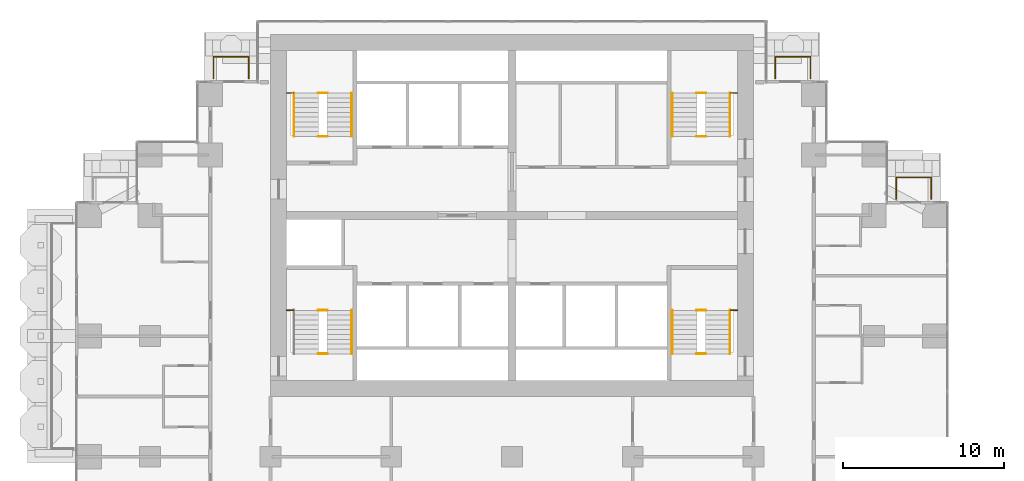
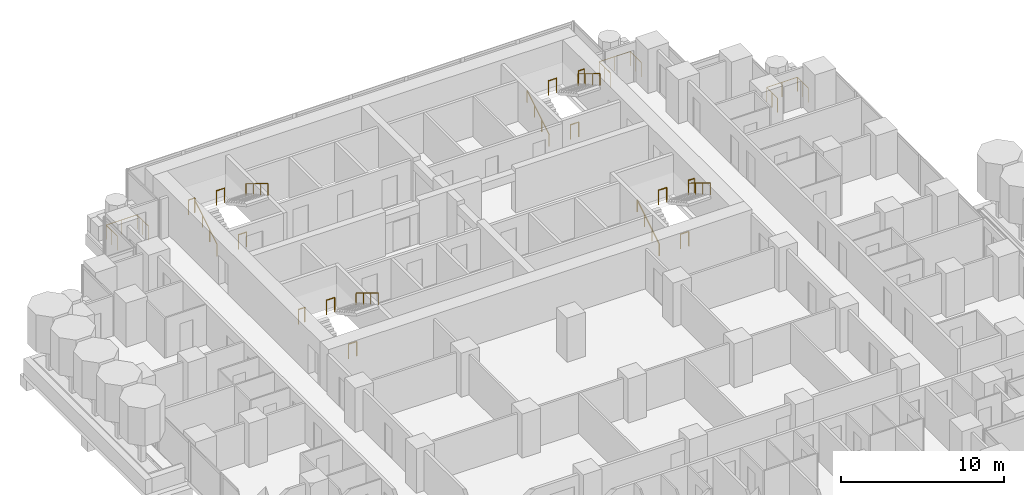
# One storey, part 18 of 19: 22 railings.
"""IFC4 building model written with IfcOpenShell, lengths in metres."""

from ifc_helpers import new_model, si_unit, direction, frame, origin, origin_2d, place, context, subcontext, project, spatial, circle, extrude, material, type_object, element, save


model = new_model("IFC4")

# Units and contexts
model_context = context("Model", 3, precision=1e-05, world=origin(), true_north=direction((0.0, 1.0)))
body_context = subcontext(model_context, "Body", "Model", "MODEL_VIEW")
ifc_project = project(units=[si_unit("LENGTHUNIT", "METRE"), si_unit("AREAUNIT", "SQUARE_METRE"), si_unit("VOLUMEUNIT", "CUBIC_METRE"), si_unit("PLANEANGLEUNIT", "RADIAN"), si_unit("MASSUNIT", "GRAM", prefix="KILO")], contexts=[model_context])

# Site, building, storey
site_placement = place(None, origin())
site = spatial("IfcSite", under=ifc_project, at=site_placement, CompositionType="ELEMENT")
building_placement = place(site_placement, origin())
building = spatial("IfcBuilding", under=site, at=building_placement, Name="Pilkhan Gate Tower", CompositionType="ELEMENT")
storey_placement = place(building_placement, frame((0.0, 0.0, 69.199951171875)))
storey = spatial("IfcBuildingStorey", under=building, at=storey_placement, Name="L15", CompositionType="ELEMENT", Elevation=69.199951171875)

# Railings
ifc_material_1 = material(Name="Pale anodised aluminium posts, laminated glass infill", Category="aluminium")
railing_type_1 = type_object("IfcRailingType", Name="Balcony guard G1", PredefinedType="BALUSTRADE", material=ifc_material_1)
for number, where, name in (
    (1, (56.449951171875, 91.0, 0.0), "Balcony guard L15 N"),
    (2, (91.35009765625, 91.0, 0.0), "Balcony guard L15 N"),
):
    element("IfcRailing", number, at=place(storey_placement, frame(where)), inside=storey, type_object=railing_type_1, Name=name, PredefinedType="BALUSTRADE", context=body_context, shape_type="SweptSolid", body=[
        extrude(circle(Radius=0.02392578125, at=origin_2d()), frame((0.0, 0.0, 1.076171875), z_axis=(0.0, 1.0, 0.0), x_axis=(-1.0, 0.0, 0.0)), (0.0, 0.0, 1.0), 1.35009765625),
        extrude(circle(Radius=0.02392578125, at=origin_2d()), frame((0.0, 1.35009765625, 1.076171875), z_axis=(1.0, 0.0, 0.0), x_axis=(0.0, 1.0, 0.0)), (0.0, 0.0, 1.0), 2.199951171875),
        extrude(circle(Radius=0.02392578125, at=origin_2d()), frame((2.199951171875, 1.35009765625, 1.076171875), z_axis=(0.0, -1.0, 0.0), x_axis=(1.0, 0.0, 0.0)), (0.0, 0.0, 1.0), 1.35009765625),
        extrude(circle(Radius=0.02099609375, at=origin_2d()), origin(), (0.0, 0.0, 1.0), 1.052001953125),
        extrude(circle(Radius=0.02099609375, at=origin_2d()), frame((0.0, 0.675048828125, 0.0)), (0.0, 0.0, 1.0), 1.052001953125),
        extrude(circle(Radius=0.02099609375, at=origin_2d()), frame((0.0, 1.35009765625, 0.0)), (0.0, 0.0, 1.0), 1.052001953125),
        extrude(circle(Radius=0.02099609375, at=origin_2d()), frame((1.10009765625, 1.35009765625, 0.0)), (0.0, 0.0, 1.0), 1.052001953125),
        extrude(circle(Radius=0.02099609375, at=origin_2d()), frame((2.199951171875, 1.35009765625, 0.0)), (0.0, 0.0, 1.0), 1.052001953125),
        extrude(circle(Radius=0.02099609375, at=origin_2d()), frame((2.199951171875, 0.675048828125, 0.0)), (0.0, 0.0, 1.0), 1.052001953125),
        extrude(circle(Radius=0.02099609375, at=origin_2d()), frame((2.199951171875, 0.0, 0.0)), (0.0, 0.0, 1.0), 1.052001953125),
    ])
railing_1_placement = place(storey_placement, frame((98.8701171875, 83.52001953125, 0.0)))
element("IfcRailing", 3, at=railing_1_placement, inside=storey, type_object=railing_type_1, Name="Balcony guard L15 N", PredefinedType="BALUSTRADE", context=body_context, shape_type="SweptSolid", body=[
    extrude(circle(Radius=0.02392578125, at=origin_2d()), frame((0.0, 0.0, 1.076171875), z_axis=(0.0, 1.0, 0.0), x_axis=(-1.0, 0.0, 0.0)), (0.0, 0.0, 1.0), 1.330078125),
    extrude(circle(Radius=0.02392578125, at=origin_2d()), frame((0.0, 1.330078125, 1.076171875), z_axis=(1.0, 0.0, 0.0), x_axis=(0.0, 1.0, 0.0)), (0.0, 0.0, 1.0), 2.179931640625),
    extrude(circle(Radius=0.02392578125, at=origin_2d()), frame((2.179931640625, 1.330078125, 1.076171875), z_axis=(0.0, -1.0, 0.0), x_axis=(1.0, 0.0, 0.0)), (0.0, 0.0, 1.0), 1.330078125),
    extrude(circle(Radius=0.02099609375, at=origin_2d()), origin(), (0.0, 0.0, 1.0), 1.052001953125),
    extrude(circle(Radius=0.02099609375, at=origin_2d()), frame((0.0, 0.6650390625, 0.0)), (0.0, 0.0, 1.0), 1.052001953125),
    extrude(circle(Radius=0.02099609375, at=origin_2d()), frame((0.0, 1.330078125, 0.0)), (0.0, 0.0, 1.0), 1.052001953125),
    extrude(circle(Radius=0.02099609375, at=origin_2d()), frame((1.08984375, 1.330078125, 0.0)), (0.0, 0.0, 1.0), 1.052001953125),
    extrude(circle(Radius=0.02099609375, at=origin_2d()), frame((2.179931640625, 1.330078125, 0.0)), (0.0, 0.0, 1.0), 1.052001953125),
    extrude(circle(Radius=0.02099609375, at=origin_2d()), frame((2.179931640625, 0.6650390625, 0.0)), (0.0, 0.0, 1.0), 1.052001953125),
    extrude(circle(Radius=0.02099609375, at=origin_2d()), frame((2.179931640625, 0.0, 0.0)), (0.0, 0.0, 1.0), 1.052001953125),
])
ifc_material_2 = material(Name="Black powder-coated steel tube", Category="steel")
railing_type_2 = type_object("IfcRailingType", Name="Stair handrail HR1", PredefinedType="HANDRAIL", material=ifc_material_2)
railing_2_placement = place(storey_placement, frame((84.949951171875, 73.89990234375, 0.0)))
element("IfcRailing", 4, at=railing_2_placement, inside=storey, type_object=railing_type_2, Name="Stair ST1 handrail L15", PredefinedType="HANDRAIL", context=body_context, shape_type="SweptSolid", body=[
    extrude(circle(Radius=0.02392578125, at=origin_2d()), frame((0.0, 0.0, 0.8759765625), z_axis=(0.0, 0.853278019476, 0.521456250781), x_axis=(-1.0, 0.0, 0.0)), (0.0, 0.0, 1.0), 3.16455078125),
    extrude(circle(Radius=0.02099609375, at=origin_2d()), origin(), (0.0, 0.0, 1.0), 0.851806640625),
    extrude(circle(Radius=0.02099609375, at=origin_2d()), frame((0.0, 0.900146484375, 0.550048828125)), (0.0, 0.0, 1.0), 0.851806640625),
    extrude(circle(Radius=0.02099609375, at=origin_2d()), frame((0.0, 1.800048828125, 1.10009765625)), (0.0, 0.0, 1.0), 0.851806640625),
    extrude(circle(Radius=0.02099609375, at=origin_2d()), frame((0.0, 2.7001953125, 1.650146484375)), (0.0, 0.0, 1.0), 0.851806640625),
])
for number, where, name in (
    (5, (88.550048828125, 76.60009765625, 1.650146484375), "Stair ST1 handrail L15"),
    (6, (65.050048828125, 76.60009765625, 1.650146484375), "Stair ST2 handrail L15"),
):
    element("IfcRailing", number, at=place(storey_placement, frame(where)), inside=storey, type_object=railing_type_2, Name=name, PredefinedType="HANDRAIL", context=body_context, shape_type="SweptSolid", body=[
        extrude(circle(Radius=0.02392578125, at=origin_2d()), frame((0.0, 0.0, 0.8759765625), z_axis=(0.0, -0.853312346642, 0.521400075823), x_axis=(1.0, 0.0, 0.0)), (0.0, 0.0, 1.0), 3.164306640625),
        extrude(circle(Radius=0.02099609375, at=origin_2d()), origin(), (0.0, 0.0, 1.0), 0.851806640625),
        extrude(circle(Radius=0.02099609375, at=origin_2d()), frame((0.0, -0.900146484375, 0.550048828125)), (0.0, 0.0, 1.0), 0.851806640625),
        extrude(circle(Radius=0.02099609375, at=origin_2d()), frame((0.0, -1.800048828125, 1.099853515625)), (0.0, 0.0, 1.0), 0.851806640625),
        extrude(circle(Radius=0.02099609375, at=origin_2d()), frame((0.0, -2.7001953125, 1.64990234375)), (0.0, 0.0, 1.0), 0.851806640625),
    ])
railing_3_placement = place(storey_placement, frame((61.449951171875, 87.39990234375, 0.0)))
element("IfcRailing", 7, at=railing_3_placement, inside=storey, type_object=railing_type_2, Name="Stair ST3 handrail L15", PredefinedType="HANDRAIL", context=body_context, shape_type="SweptSolid", body=[
    extrude(circle(Radius=0.02392578125, at=origin_2d()), frame((0.0, 0.0, 0.8759765625), z_axis=(0.0, 0.853278019476, 0.521456250781), x_axis=(-1.0, 0.0, 0.0)), (0.0, 0.0, 1.0), 3.16455078125),
    extrude(circle(Radius=0.02099609375, at=origin_2d()), origin(), (0.0, 0.0, 1.0), 0.851806640625),
    extrude(circle(Radius=0.02099609375, at=origin_2d()), frame((0.0, 0.900146484375, 0.550048828125)), (0.0, 0.0, 1.0), 0.851806640625),
    extrude(circle(Radius=0.02099609375, at=origin_2d()), frame((0.0, 1.800048828125, 1.10009765625)), (0.0, 0.0, 1.0), 0.851806640625),
    extrude(circle(Radius=0.02099609375, at=origin_2d()), frame((0.0, 2.7001953125, 1.650146484375)), (0.0, 0.0, 1.0), 0.851806640625),
])
railing_4_placement = place(storey_placement, frame((65.050048828125, 90.10009765625, 1.650146484375)))
element("IfcRailing", 8, at=railing_4_placement, inside=storey, type_object=railing_type_2, Name="Stair ST3 handrail L15", PredefinedType="HANDRAIL", context=body_context, shape_type="SweptSolid", body=[
    extrude(circle(Radius=0.02392578125, at=origin_2d()), frame((0.0, 0.0, 0.8759765625), z_axis=(0.0, -0.853312346642, 0.521400075823), x_axis=(1.0, 0.0, 0.0)), (0.0, 0.0, 1.0), 3.164306640625),
    extrude(circle(Radius=0.02099609375, at=origin_2d()), origin(), (0.0, 0.0, 1.0), 0.851806640625),
    extrude(circle(Radius=0.02099609375, at=origin_2d()), frame((0.0, -0.900146484375, 0.550048828125)), (0.0, 0.0, 1.0), 0.851806640625),
    extrude(circle(Radius=0.02099609375, at=origin_2d()), frame((0.0, -1.800048828125, 1.099853515625)), (0.0, 0.0, 1.0), 0.851806640625),
    extrude(circle(Radius=0.02099609375, at=origin_2d()), frame((0.0, -2.7001953125, 1.64990234375)), (0.0, 0.0, 1.0), 0.851806640625),
])
railing_5_placement = place(storey_placement, frame((84.949951171875, 87.39990234375, 0.0)))
element("IfcRailing", 9, at=railing_5_placement, inside=storey, type_object=railing_type_2, Name="Stair ST4 handrail L15", PredefinedType="HANDRAIL", context=body_context, shape_type="SweptSolid", body=[
    extrude(circle(Radius=0.02392578125, at=origin_2d()), frame((0.0, 0.0, 0.8759765625), z_axis=(0.0, 0.853278019476, 0.521456250781), x_axis=(-1.0, 0.0, 0.0)), (0.0, 0.0, 1.0), 3.16455078125),
    extrude(circle(Radius=0.02099609375, at=origin_2d()), origin(), (0.0, 0.0, 1.0), 0.851806640625),
    extrude(circle(Radius=0.02099609375, at=origin_2d()), frame((0.0, 0.900146484375, 0.550048828125)), (0.0, 0.0, 1.0), 0.851806640625),
    extrude(circle(Radius=0.02099609375, at=origin_2d()), frame((0.0, 1.800048828125, 1.10009765625)), (0.0, 0.0, 1.0), 0.851806640625),
    extrude(circle(Radius=0.02099609375, at=origin_2d()), frame((0.0, 2.7001953125, 1.650146484375)), (0.0, 0.0, 1.0), 0.851806640625),
])
railing_6_placement = place(storey_placement, frame((88.550048828125, 90.10009765625, 1.650146484375)))
element("IfcRailing", 10, at=railing_6_placement, inside=storey, type_object=railing_type_2, Name="Stair ST4 handrail L15", PredefinedType="HANDRAIL", context=body_context, shape_type="SweptSolid", body=[
    extrude(circle(Radius=0.02392578125, at=origin_2d()), frame((0.0, 0.0, 0.8759765625), z_axis=(0.0, -0.853312346642, 0.521400075823), x_axis=(1.0, 0.0, 0.0)), (0.0, 0.0, 1.0), 3.164306640625),
    extrude(circle(Radius=0.02099609375, at=origin_2d()), origin(), (0.0, 0.0, 1.0), 0.851806640625),
    extrude(circle(Radius=0.02099609375, at=origin_2d()), frame((0.0, -0.900146484375, 0.550048828125)), (0.0, 0.0, 1.0), 0.851806640625),
    extrude(circle(Radius=0.02099609375, at=origin_2d()), frame((0.0, -1.800048828125, 1.099853515625)), (0.0, 0.0, 1.0), 0.851806640625),
    extrude(circle(Radius=0.02099609375, at=origin_2d()), frame((0.0, -2.7001953125, 1.64990234375)), (0.0, 0.0, 1.0), 0.851806640625),
])
ifc_material_3 = material(Name="Black powder-coated steel balusters", Category="steel")
railing_type_3 = type_object("IfcRailingType", Name="Stair well guard G3", PredefinedType="GUARDRAIL", material=ifc_material_3)
railing_7_placement = place(storey_placement, frame((88.580078125, 76.60009765625, 1.650146484375)))
element("IfcRailing", 11, at=railing_7_placement, inside=storey, type_object=railing_type_3, Name="Stair ST1 well guard L15", PredefinedType="GUARDRAIL", context=body_context, shape_type="SweptSolid", body=[
    extrude(circle(Radius=0.02392578125, at=origin_2d()), frame((0.0, 0.0, 1.076171875), z_axis=(1.0, 0.0, 0.0), x_axis=(0.0, 1.0, 0.0)), (0.0, 0.0, 1.0), 0.43994140625),
    extrude(circle(Radius=0.02099609375, at=origin_2d()), origin(), (0.0, 0.0, 1.0), 1.052001953125),
    extrude(circle(Radius=0.02099609375, at=origin_2d()), frame((0.43994140625, 0.0, 0.0)), (0.0, 0.0, 1.0), 1.052001953125),
])
for number, where, name in (
    (12, (86.4599609375, 73.89990234375, 0.0), "Stair ST1 well guard L15"),
    (13, (86.4599609375, 76.60009765625, 1.650146484375), "Stair ST1 well guard L15"),
):
    element("IfcRailing", number, at=place(storey_placement, frame(where)), inside=storey, type_object=railing_type_3, Name=name, PredefinedType="GUARDRAIL", context=body_context, shape_type="SweptSolid", body=[
        extrude(circle(Radius=0.02392578125, at=origin_2d()), frame((0.0, 0.0, 1.076171875), z_axis=(1.0, 0.0, 0.0), x_axis=(0.0, 1.0, 0.0)), (0.0, 0.0, 1.0), 0.580078125),
        extrude(circle(Radius=0.02099609375, at=origin_2d()), origin(), (0.0, 0.0, 1.0), 1.052001953125),
        extrude(circle(Radius=0.02099609375, at=origin_2d()), frame((0.580078125, 0.0, 0.0)), (0.0, 0.0, 1.0), 1.052001953125),
    ])
railing_8_placement = place(storey_placement, frame((60.97998046875, 76.60009765625, 1.650146484375)))
element("IfcRailing", 14, at=railing_8_placement, inside=storey, type_object=railing_type_3, Name="Stair ST2 well guard L15", PredefinedType="GUARDRAIL", context=body_context, shape_type="SweptSolid", body=[
    extrude(circle(Radius=0.02392578125, at=origin_2d()), frame((0.0, 0.0, 1.076171875), z_axis=(1.0, 0.0, 0.0), x_axis=(0.0, 1.0, 0.0)), (0.0, 0.0, 1.0), 0.43994140625),
    extrude(circle(Radius=0.02099609375, at=origin_2d()), origin(), (0.0, 0.0, 1.0), 1.052001953125),
    extrude(circle(Radius=0.02099609375, at=origin_2d()), frame((0.43994140625, 0.0, 0.0)), (0.0, 0.0, 1.0), 1.052001953125),
])
for number, where, name in (
    (15, (62.9599609375, 73.89990234375, 0.0), "Stair ST2 well guard L15"),
    (16, (62.9599609375, 76.60009765625, 1.650146484375), "Stair ST2 well guard L15"),
):
    element("IfcRailing", number, at=place(storey_placement, frame(where)), inside=storey, type_object=railing_type_3, Name=name, PredefinedType="GUARDRAIL", context=body_context, shape_type="SweptSolid", body=[
        extrude(circle(Radius=0.02392578125, at=origin_2d()), frame((0.0, 0.0, 1.076171875), z_axis=(1.0, 0.0, 0.0), x_axis=(0.0, 1.0, 0.0)), (0.0, 0.0, 1.0), 0.580078125),
        extrude(circle(Radius=0.02099609375, at=origin_2d()), origin(), (0.0, 0.0, 1.0), 1.052001953125),
        extrude(circle(Radius=0.02099609375, at=origin_2d()), frame((0.580078125, 0.0, 0.0)), (0.0, 0.0, 1.0), 1.052001953125),
    ])
railing_9_placement = place(storey_placement, frame((60.97998046875, 90.10009765625, 1.650146484375)))
element("IfcRailing", 17, at=railing_9_placement, inside=storey, type_object=railing_type_3, Name="Stair ST3 well guard L15", PredefinedType="GUARDRAIL", context=body_context, shape_type="SweptSolid", body=[
    extrude(circle(Radius=0.02392578125, at=origin_2d()), frame((0.0, 0.0, 1.076171875), z_axis=(1.0, 0.0, 0.0), x_axis=(0.0, 1.0, 0.0)), (0.0, 0.0, 1.0), 0.43994140625),
    extrude(circle(Radius=0.02099609375, at=origin_2d()), origin(), (0.0, 0.0, 1.0), 1.052001953125),
    extrude(circle(Radius=0.02099609375, at=origin_2d()), frame((0.43994140625, 0.0, 0.0)), (0.0, 0.0, 1.0), 1.052001953125),
])
for number, where, name in (
    (18, (62.9599609375, 87.39990234375, 0.0), "Stair ST3 well guard L15"),
    (19, (62.9599609375, 90.10009765625, 1.650146484375), "Stair ST3 well guard L15"),
):
    element("IfcRailing", number, at=place(storey_placement, frame(where)), inside=storey, type_object=railing_type_3, Name=name, PredefinedType="GUARDRAIL", context=body_context, shape_type="SweptSolid", body=[
        extrude(circle(Radius=0.02392578125, at=origin_2d()), frame((0.0, 0.0, 1.076171875), z_axis=(1.0, 0.0, 0.0), x_axis=(0.0, 1.0, 0.0)), (0.0, 0.0, 1.0), 0.580078125),
        extrude(circle(Radius=0.02099609375, at=origin_2d()), origin(), (0.0, 0.0, 1.0), 1.052001953125),
        extrude(circle(Radius=0.02099609375, at=origin_2d()), frame((0.580078125, 0.0, 0.0)), (0.0, 0.0, 1.0), 1.052001953125),
    ])
railing_10_placement = place(storey_placement, frame((88.580078125, 90.10009765625, 1.650146484375)))
element("IfcRailing", 20, at=railing_10_placement, inside=storey, type_object=railing_type_3, Name="Stair ST4 well guard L15", PredefinedType="GUARDRAIL", context=body_context, shape_type="SweptSolid", body=[
    extrude(circle(Radius=0.02392578125, at=origin_2d()), frame((0.0, 0.0, 1.076171875), z_axis=(1.0, 0.0, 0.0), x_axis=(0.0, 1.0, 0.0)), (0.0, 0.0, 1.0), 0.43994140625),
    extrude(circle(Radius=0.02099609375, at=origin_2d()), origin(), (0.0, 0.0, 1.0), 1.052001953125),
    extrude(circle(Radius=0.02099609375, at=origin_2d()), frame((0.43994140625, 0.0, 0.0)), (0.0, 0.0, 1.0), 1.052001953125),
])
for number, where, name in (
    (21, (86.4599609375, 87.39990234375, 0.0), "Stair ST4 well guard L15"),
    (22, (86.4599609375, 90.10009765625, 1.650146484375), "Stair ST4 well guard L15"),
):
    element("IfcRailing", number, at=place(storey_placement, frame(where)), inside=storey, type_object=railing_type_3, Name=name, PredefinedType="GUARDRAIL", context=body_context, shape_type="SweptSolid", body=[
        extrude(circle(Radius=0.02392578125, at=origin_2d()), frame((0.0, 0.0, 1.076171875), z_axis=(1.0, 0.0, 0.0), x_axis=(0.0, 1.0, 0.0)), (0.0, 0.0, 1.0), 0.580078125),
        extrude(circle(Radius=0.02099609375, at=origin_2d()), origin(), (0.0, 0.0, 1.0), 1.052001953125),
        extrude(circle(Radius=0.02099609375, at=origin_2d()), frame((0.580078125, 0.0, 0.0)), (0.0, 0.0, 1.0), 1.052001953125),
    ])

save(model, "model.ifc")
